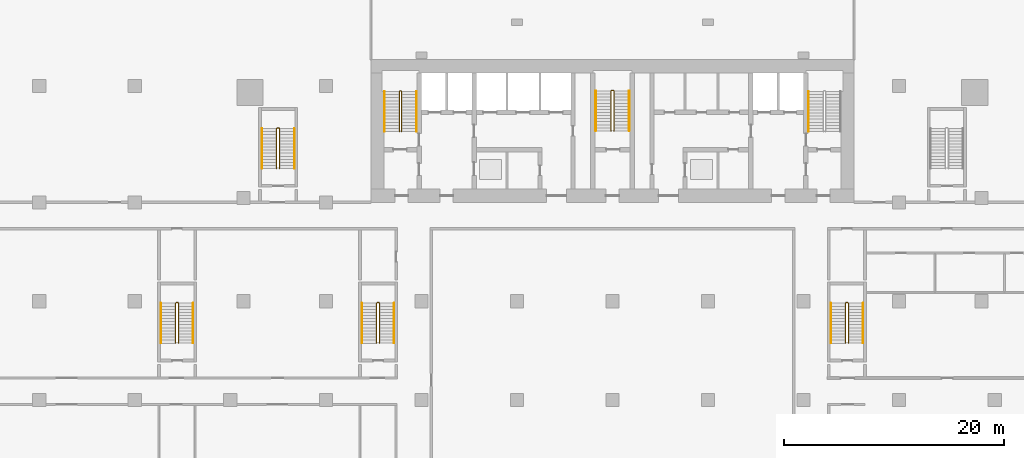
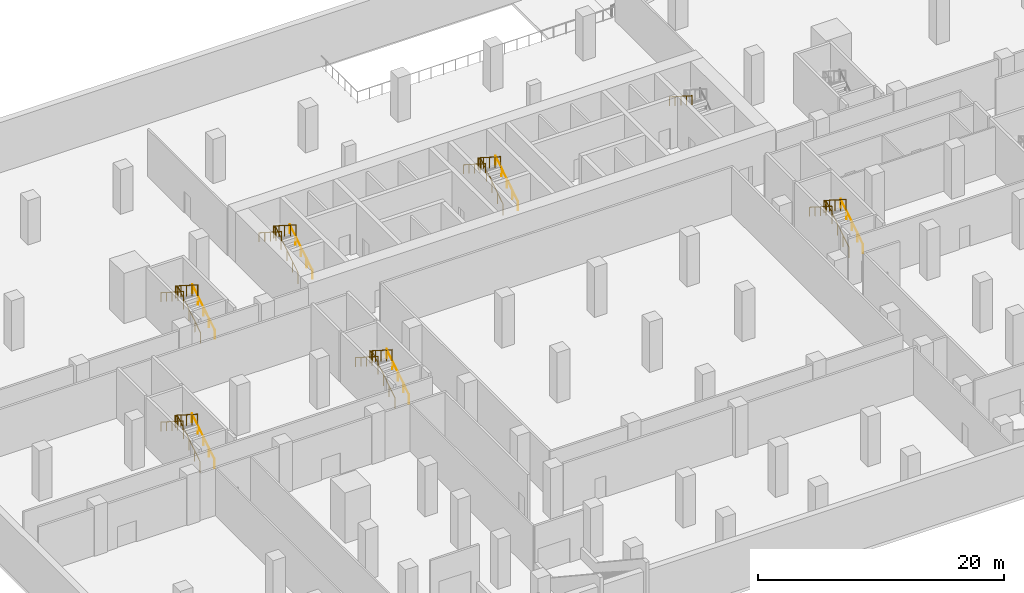
# One storey, part 14 of 16: 19 railings.
"""IFC4 building model written with IfcOpenShell, lengths in metres."""

from ifc_helpers import new_model, si_unit, direction, frame, origin, origin_2d, place, context, subcontext, project, spatial, circle, extrude, material, type_object, element, save


model = new_model("IFC4")

# Units and contexts
model_context = context("Model", 3, precision=1e-05, world=origin(), true_north=direction((0.0, 1.0)))
body_context = subcontext(model_context, "Body", "Model", "MODEL_VIEW")
ifc_project = project(units=[si_unit("LENGTHUNIT", "METRE"), si_unit("AREAUNIT", "SQUARE_METRE"), si_unit("VOLUMEUNIT", "CUBIC_METRE"), si_unit("PLANEANGLEUNIT", "RADIAN"), si_unit("MASSUNIT", "GRAM", prefix="KILO")], contexts=[model_context])

# Site, building, storey
site_placement = place(None, origin())
site = spatial("IfcSite", under=ifc_project, at=site_placement, CompositionType="ELEMENT")
building_placement = place(site_placement, origin())
building = spatial("IfcBuilding", under=site, at=building_placement, Name="Bicima Exchange Tower", CompositionType="ELEMENT")
storey_placement = place(building_placement, frame((0.0, 0.0, -5.0)))
storey = spatial("IfcBuildingStorey", under=building, at=storey_placement, Name="B1", CompositionType="ELEMENT", Elevation=-5.0)

# Railings
ifc_material = material(Name="Stainless steel", Category="steel")
railing_type_1 = type_object("IfcRailingType", Name="Stair guard 1100", PredefinedType="GUARDRAIL", material=ifc_material)
railing_1_placement = place(storey_placement, frame((-19.199951171875, -6.550048828125, 0.178466796875)))
element("IfcRailing", 1, at=railing_1_placement, inside=storey, type_object=railing_type_1, Name="B1 ST-W stair guard 1", PredefinedType="GUARDRAIL", context=body_context, shape_type="SweptSolid", body=[
    extrude(circle(Radius=0.02392578125, at=origin_2d()), frame((0.0, 0.0, 1.076171875), z_axis=(0.0, 0.843127859045, 0.537713132908), x_axis=(-1.0, 0.0, 0.0)), (0.0, 0.0, 1.0), 4.3173828125),
    extrude(circle(Radius=0.02392578125, at=origin_2d()), frame((0.0, 3.64013671875, 3.3974609375), z_axis=(-0.708833529934, 0.705375805398, 0.0), x_axis=(-0.705375805398, -0.708833529934, 0.0)), (0.0, 0.0, 1.0), 0.070556640625),
    extrude(circle(Radius=0.02392578125, at=origin_2d()), frame((-0.050048828125, 3.68994140625, 3.3974609375), z_axis=(-1.0, 0.0, 0.0), x_axis=(0.0, -1.0, 0.0)), (0.0, 0.0, 1.0), 0.10009765625),
    extrude(circle(Radius=0.02392578125, at=origin_2d()), frame((-0.150146484375, 3.68994140625, 3.3974609375), z_axis=(-0.259584636361, -0.259584636361, 0.930178280294), x_axis=(0.707106781187, -0.707106781187, 0.0)), (0.0, 0.0, 1.0), 0.19189453125),
    extrude(circle(Radius=0.02392578125, at=origin_2d()), frame((-0.199951171875, 3.64013671875, 3.576171875), z_axis=(0.0, -0.843127859045, 0.537713132908), x_axis=(1.0, 0.0, 0.0)), (0.0, 0.0, 1.0), 4.3173828125),
    extrude(circle(Radius=0.02099609375, at=origin_2d()), origin(), (0.0, 0.0, 1.0), 1.052001953125),
    extrude(circle(Radius=0.02099609375, at=origin_2d()), frame((0.0, 0.91015625, 0.580322265625)), (0.0, 0.0, 1.0), 1.052001953125),
    extrude(circle(Radius=0.02099609375, at=origin_2d()), frame((0.0, 1.820068359375, 1.16064453125)), (0.0, 0.0, 1.0), 1.052001953125),
    extrude(circle(Radius=0.02099609375, at=origin_2d()), frame((0.0, 2.72998046875, 1.7412109375)), (0.0, 0.0, 1.0), 1.052001953125),
    extrude(circle(Radius=0.02099609375, at=origin_2d()), frame((0.0, 3.64013671875, 2.321533203125)), (0.0, 0.0, 1.0), 1.052001953125),
    extrude(circle(Radius=0.02099609375, at=origin_2d()), frame((-0.050048828125, 3.68994140625, 2.321533203125)), (0.0, 0.0, 1.0), 1.052001953125),
    extrude(circle(Radius=0.02099609375, at=origin_2d()), frame((-0.150146484375, 3.68994140625, 2.321533203125)), (0.0, 0.0, 1.0), 1.052001953125),
    extrude(circle(Radius=0.02099609375, at=origin_2d()), frame((-0.199951171875, 3.64013671875, 2.5)), (0.0, 0.0, 1.0), 1.052001953125),
    extrude(circle(Radius=0.02099609375, at=origin_2d()), frame((-0.199951171875, 2.72998046875, 3.080322265625)), (0.0, 0.0, 1.0), 1.052001953125),
    extrude(circle(Radius=0.02099609375, at=origin_2d()), frame((-0.199951171875, 1.820068359375, 3.66064453125)), (0.0, 0.0, 1.0), 1.052001953125),
    extrude(circle(Radius=0.02099609375, at=origin_2d()), frame((-0.199951171875, 0.91015625, 4.2412109375)), (0.0, 0.0, 1.0), 1.052001953125),
    extrude(circle(Radius=0.02099609375, at=origin_2d()), frame((-0.199951171875, 0.0, 4.821533203125)), (0.0, 0.0, 1.0), 1.052001953125),
])
railing_2_placement = place(storey_placement, frame((0.125, -6.5, 0.178466796875)))
element("IfcRailing", 2, at=railing_2_placement, inside=storey, type_object=railing_type_1, Name="B1 ST-C stair guard 1", PredefinedType="GUARDRAIL", context=body_context, shape_type="SweptSolid", body=[
    extrude(circle(Radius=0.02392578125, at=origin_2d()), frame((0.0, 0.0, 1.076171875), z_axis=(0.0, 0.843111507901, 0.53773877045), x_axis=(-1.0, 0.0, 0.0)), (0.0, 0.0, 1.0), 4.317138671875),
    extrude(circle(Radius=0.02392578125, at=origin_2d()), frame((0.0, 3.639892578125, 3.3974609375), z_axis=(-0.707106781187, 0.707106781187, 0.0), x_axis=(-0.707106781187, -0.707106781187, 0.0)), (0.0, 0.0, 1.0), 0.07080078125),
    extrude(circle(Radius=0.02392578125, at=origin_2d()), frame((-0.050048828125, 3.68994140625, 3.3974609375), z_axis=(-1.0, 0.0, 0.0), x_axis=(0.0, -1.0, 0.0)), (0.0, 0.0, 1.0), 0.14990234375),
    extrude(circle(Radius=0.02392578125, at=origin_2d()), frame((-0.199951171875, 3.68994140625, 3.3974609375), z_axis=(-0.260684529273, -0.260684529273, 0.929562882432), x_axis=(0.707106781187, -0.707106781187, 0.0)), (0.0, 0.0, 1.0), 0.19189453125),
    extrude(circle(Radius=0.02392578125, at=origin_2d()), frame((-0.25, 3.639892578125, 3.576171875), z_axis=(0.0, -0.843111507901, 0.53773877045), x_axis=(1.0, 0.0, 0.0)), (0.0, 0.0, 1.0), 4.317138671875),
    extrude(circle(Radius=0.02099609375, at=origin_2d()), origin(), (0.0, 0.0, 1.0), 1.052001953125),
    extrude(circle(Radius=0.02099609375, at=origin_2d()), frame((0.0, 0.909912109375, 0.580322265625)), (0.0, 0.0, 1.0), 1.052001953125),
    extrude(circle(Radius=0.02099609375, at=origin_2d()), frame((0.0, 1.81982421875, 1.16064453125)), (0.0, 0.0, 1.0), 1.052001953125),
    extrude(circle(Radius=0.02099609375, at=origin_2d()), frame((0.0, 2.72998046875, 1.7412109375)), (0.0, 0.0, 1.0), 1.052001953125),
    extrude(circle(Radius=0.02099609375, at=origin_2d()), frame((0.0, 3.639892578125, 2.321533203125)), (0.0, 0.0, 1.0), 1.052001953125),
    extrude(circle(Radius=0.02099609375, at=origin_2d()), frame((-0.050048828125, 3.68994140625, 2.321533203125)), (0.0, 0.0, 1.0), 1.052001953125),
    extrude(circle(Radius=0.02099609375, at=origin_2d()), frame((-0.199951171875, 3.68994140625, 2.321533203125)), (0.0, 0.0, 1.0), 1.052001953125),
    extrude(circle(Radius=0.02099609375, at=origin_2d()), frame((-0.25, 3.639892578125, 2.5)), (0.0, 0.0, 1.0), 1.052001953125),
    extrude(circle(Radius=0.02099609375, at=origin_2d()), frame((-0.25, 2.72998046875, 3.080322265625)), (0.0, 0.0, 1.0), 1.052001953125),
    extrude(circle(Radius=0.02099609375, at=origin_2d()), frame((-0.25, 1.81982421875, 3.66064453125)), (0.0, 0.0, 1.0), 1.052001953125),
    extrude(circle(Radius=0.02099609375, at=origin_2d()), frame((-0.25, 0.909912109375, 4.2412109375)), (0.0, 0.0, 1.0), 1.052001953125),
    extrude(circle(Radius=0.02099609375, at=origin_2d()), frame((-0.25, 0.0, 4.821533203125)), (0.0, 0.0, 1.0), 1.052001953125),
])
railing_3_placement = place(storey_placement, frame((-30.324951171875, -9.925048828125, 0.178466796875)))
element("IfcRailing", 3, at=railing_3_placement, inside=storey, type_object=railing_type_1, Name="B1 ST-WW stair guard 1", PredefinedType="GUARDRAIL", context=body_context, shape_type="SweptSolid", body=[
    extrude(circle(Radius=0.02392578125, at=origin_2d()), frame((0.0, 0.0, 1.076171875), z_axis=(0.0, 0.843127859045, 0.537713132908), x_axis=(-1.0, 0.0, 0.0)), (0.0, 0.0, 1.0), 4.3173828125),
    extrude(circle(Radius=0.02392578125, at=origin_2d()), frame((0.0, 3.64013671875, 3.3974609375), z_axis=(-0.708833529934, 0.705375805398, 0.0), x_axis=(-0.705375805398, -0.708833529934, 0.0)), (0.0, 0.0, 1.0), 0.070556640625),
    extrude(circle(Radius=0.02392578125, at=origin_2d()), frame((-0.050048828125, 3.68994140625, 3.3974609375), z_axis=(-1.0, 0.0, 0.0), x_axis=(0.0, -1.0, 0.0)), (0.0, 0.0, 1.0), 0.14990234375),
    extrude(circle(Radius=0.02392578125, at=origin_2d()), frame((-0.199951171875, 3.68994140625, 3.3974609375), z_axis=(-0.26077077684, -0.25949872427, 0.929870428634), x_axis=(0.705375805398, -0.708833529934, 0.0)), (0.0, 0.0, 1.0), 0.19189453125),
    extrude(circle(Radius=0.02392578125, at=origin_2d()), frame((-0.25, 3.64013671875, 3.576171875), z_axis=(0.0, -0.843127859045, 0.537713132908), x_axis=(1.0, 0.0, 0.0)), (0.0, 0.0, 1.0), 4.3173828125),
    extrude(circle(Radius=0.02099609375, at=origin_2d()), origin(), (0.0, 0.0, 1.0), 1.052001953125),
    extrude(circle(Radius=0.02099609375, at=origin_2d()), frame((0.0, 0.91015625, 0.580322265625)), (0.0, 0.0, 1.0), 1.052001953125),
    extrude(circle(Radius=0.02099609375, at=origin_2d()), frame((0.0, 1.820068359375, 1.16064453125)), (0.0, 0.0, 1.0), 1.052001953125),
    extrude(circle(Radius=0.02099609375, at=origin_2d()), frame((0.0, 2.72998046875, 1.7412109375)), (0.0, 0.0, 1.0), 1.052001953125),
    extrude(circle(Radius=0.02099609375, at=origin_2d()), frame((0.0, 3.64013671875, 2.321533203125)), (0.0, 0.0, 1.0), 1.052001953125),
    extrude(circle(Radius=0.02099609375, at=origin_2d()), frame((-0.050048828125, 3.68994140625, 2.321533203125)), (0.0, 0.0, 1.0), 1.052001953125),
    extrude(circle(Radius=0.02099609375, at=origin_2d()), frame((-0.199951171875, 3.68994140625, 2.321533203125)), (0.0, 0.0, 1.0), 1.052001953125),
    extrude(circle(Radius=0.02099609375, at=origin_2d()), frame((-0.25, 3.64013671875, 2.5)), (0.0, 0.0, 1.0), 1.052001953125),
    extrude(circle(Radius=0.02099609375, at=origin_2d()), frame((-0.25, 2.72998046875, 3.080322265625)), (0.0, 0.0, 1.0), 1.052001953125),
    extrude(circle(Radius=0.02099609375, at=origin_2d()), frame((-0.25, 1.820068359375, 3.66064453125)), (0.0, 0.0, 1.0), 1.052001953125),
    extrude(circle(Radius=0.02099609375, at=origin_2d()), frame((-0.25, 0.91015625, 4.2412109375)), (0.0, 0.0, 1.0), 1.052001953125),
    extrude(circle(Radius=0.02099609375, at=origin_2d()), frame((-0.25, 0.0, 4.821533203125)), (0.0, 0.0, 1.0), 1.052001953125),
])
railing_4_placement = place(storey_placement, frame((-39.52490234375, -25.824951171875, 0.178466796875)))
element("IfcRailing", 4, at=railing_4_placement, inside=storey, type_object=railing_type_1, Name="B1 PS-W stair guard 1", PredefinedType="GUARDRAIL", context=body_context, shape_type="SweptSolid", body=[
    extrude(circle(Radius=0.02392578125, at=origin_2d()), frame((0.0, 0.0, 1.076171875), z_axis=(0.0, 0.843111507901, 0.53773877045), x_axis=(-1.0, 0.0, 0.0)), (0.0, 0.0, 1.0), 4.317138671875),
    extrude(circle(Radius=0.02392578125, at=origin_2d()), frame((0.0, 3.639892578125, 3.3974609375), z_axis=(-0.707106781187, 0.707106781187, 0.0), x_axis=(-0.707106781187, -0.707106781187, 0.0)), (0.0, 0.0, 1.0), 0.07080078125),
    extrude(circle(Radius=0.02392578125, at=origin_2d()), frame((-0.050048828125, 3.68994140625, 3.3974609375), z_axis=(-1.0, 0.0, 0.0), x_axis=(0.0, -1.0, 0.0)), (0.0, 0.0, 1.0), 0.150146484375),
    extrude(circle(Radius=0.02392578125, at=origin_2d()), frame((-0.2001953125, 3.68994140625, 3.3974609375), z_axis=(-0.25949872427, -0.26077077684, 0.929870428634), x_axis=(0.708833529934, -0.705375805398, 0.0)), (0.0, 0.0, 1.0), 0.19189453125),
    extrude(circle(Radius=0.02392578125, at=origin_2d()), frame((-0.25, 3.639892578125, 3.576171875), z_axis=(0.0, -0.843111507901, 0.53773877045), x_axis=(1.0, 0.0, 0.0)), (0.0, 0.0, 1.0), 4.317138671875),
    extrude(circle(Radius=0.02099609375, at=origin_2d()), origin(), (0.0, 0.0, 1.0), 1.052001953125),
    extrude(circle(Radius=0.02099609375, at=origin_2d()), frame((0.0, 0.909912109375, 0.580322265625)), (0.0, 0.0, 1.0), 1.052001953125),
    extrude(circle(Radius=0.02099609375, at=origin_2d()), frame((0.0, 1.81982421875, 1.16064453125)), (0.0, 0.0, 1.0), 1.052001953125),
    extrude(circle(Radius=0.02099609375, at=origin_2d()), frame((0.0, 2.72998046875, 1.7412109375)), (0.0, 0.0, 1.0), 1.052001953125),
    extrude(circle(Radius=0.02099609375, at=origin_2d()), frame((0.0, 3.639892578125, 2.321533203125)), (0.0, 0.0, 1.0), 1.052001953125),
    extrude(circle(Radius=0.02099609375, at=origin_2d()), frame((-0.050048828125, 3.68994140625, 2.321533203125)), (0.0, 0.0, 1.0), 1.052001953125),
    extrude(circle(Radius=0.02099609375, at=origin_2d()), frame((-0.2001953125, 3.68994140625, 2.321533203125)), (0.0, 0.0, 1.0), 1.052001953125),
    extrude(circle(Radius=0.02099609375, at=origin_2d()), frame((-0.25, 3.639892578125, 2.5)), (0.0, 0.0, 1.0), 1.052001953125),
    extrude(circle(Radius=0.02099609375, at=origin_2d()), frame((-0.25, 2.72998046875, 3.080322265625)), (0.0, 0.0, 1.0), 1.052001953125),
    extrude(circle(Radius=0.02099609375, at=origin_2d()), frame((-0.25, 1.81982421875, 3.66064453125)), (0.0, 0.0, 1.0), 1.052001953125),
    extrude(circle(Radius=0.02099609375, at=origin_2d()), frame((-0.25, 0.909912109375, 4.2412109375)), (0.0, 0.0, 1.0), 1.052001953125),
    extrude(circle(Radius=0.02099609375, at=origin_2d()), frame((-0.25, 0.0, 4.821533203125)), (0.0, 0.0, 1.0), 1.052001953125),
])
railing_5_placement = place(storey_placement, frame((-21.22509765625, -25.824951171875, 0.178466796875)))
element("IfcRailing", 5, at=railing_5_placement, inside=storey, type_object=railing_type_1, Name="B1 PS-WI stair guard 1", PredefinedType="GUARDRAIL", context=body_context, shape_type="SweptSolid", body=[
    extrude(circle(Radius=0.02392578125, at=origin_2d()), frame((0.0, 0.0, 1.076171875), z_axis=(0.0, 0.843111507901, 0.53773877045), x_axis=(-1.0, 0.0, 0.0)), (0.0, 0.0, 1.0), 4.317138671875),
    extrude(circle(Radius=0.02392578125, at=origin_2d()), frame((0.0, 3.639892578125, 3.3974609375), z_axis=(-0.705375805398, 0.708833529934, 0.0), x_axis=(-0.708833529934, -0.705375805398, 0.0)), (0.0, 0.0, 1.0), 0.070556640625),
    extrude(circle(Radius=0.02392578125, at=origin_2d()), frame((-0.0498046875, 3.68994140625, 3.3974609375), z_axis=(-1.0, 0.0, 0.0), x_axis=(0.0, -1.0, 0.0)), (0.0, 0.0, 1.0), 0.150146484375),
    extrude(circle(Radius=0.02392578125, at=origin_2d()), frame((-0.199951171875, 3.68994140625, 3.3974609375), z_axis=(-0.260684529273, -0.260684529273, 0.929562882432), x_axis=(0.707106781187, -0.707106781187, 0.0)), (0.0, 0.0, 1.0), 0.19189453125),
    extrude(circle(Radius=0.02392578125, at=origin_2d()), frame((-0.25, 3.639892578125, 3.576171875), z_axis=(0.0, -0.843111507901, 0.53773877045), x_axis=(1.0, 0.0, 0.0)), (0.0, 0.0, 1.0), 4.317138671875),
    extrude(circle(Radius=0.02099609375, at=origin_2d()), origin(), (0.0, 0.0, 1.0), 1.052001953125),
    extrude(circle(Radius=0.02099609375, at=origin_2d()), frame((0.0, 0.909912109375, 0.580322265625)), (0.0, 0.0, 1.0), 1.052001953125),
    extrude(circle(Radius=0.02099609375, at=origin_2d()), frame((0.0, 1.81982421875, 1.16064453125)), (0.0, 0.0, 1.0), 1.052001953125),
    extrude(circle(Radius=0.02099609375, at=origin_2d()), frame((0.0, 2.72998046875, 1.7412109375)), (0.0, 0.0, 1.0), 1.052001953125),
    extrude(circle(Radius=0.02099609375, at=origin_2d()), frame((0.0, 3.639892578125, 2.321533203125)), (0.0, 0.0, 1.0), 1.052001953125),
    extrude(circle(Radius=0.02099609375, at=origin_2d()), frame((-0.0498046875, 3.68994140625, 2.321533203125)), (0.0, 0.0, 1.0), 1.052001953125),
    extrude(circle(Radius=0.02099609375, at=origin_2d()), frame((-0.199951171875, 3.68994140625, 2.321533203125)), (0.0, 0.0, 1.0), 1.052001953125),
    extrude(circle(Radius=0.02099609375, at=origin_2d()), frame((-0.25, 3.639892578125, 2.5)), (0.0, 0.0, 1.0), 1.052001953125),
    extrude(circle(Radius=0.02099609375, at=origin_2d()), frame((-0.25, 2.72998046875, 3.080322265625)), (0.0, 0.0, 1.0), 1.052001953125),
    extrude(circle(Radius=0.02099609375, at=origin_2d()), frame((-0.25, 1.81982421875, 3.66064453125)), (0.0, 0.0, 1.0), 1.052001953125),
    extrude(circle(Radius=0.02099609375, at=origin_2d()), frame((-0.25, 0.909912109375, 4.2412109375)), (0.0, 0.0, 1.0), 1.052001953125),
    extrude(circle(Radius=0.02099609375, at=origin_2d()), frame((-0.25, 0.0, 4.821533203125)), (0.0, 0.0, 1.0), 1.052001953125),
])
railing_6_placement = place(storey_placement, frame((21.47509765625, -25.824951171875, 0.178466796875)))
element("IfcRailing", 6, at=railing_6_placement, inside=storey, type_object=railing_type_1, Name="B1 PS-EI stair guard 1", PredefinedType="GUARDRAIL", context=body_context, shape_type="SweptSolid", body=[
    extrude(circle(Radius=0.02392578125, at=origin_2d()), frame((0.0, 0.0, 1.076171875), z_axis=(0.0, 0.843111507901, 0.53773877045), x_axis=(-1.0, 0.0, 0.0)), (0.0, 0.0, 1.0), 4.317138671875),
    extrude(circle(Radius=0.02392578125, at=origin_2d()), frame((0.0, 3.639892578125, 3.3974609375), z_axis=(-0.707106781187, 0.707106781187, 0.0), x_axis=(-0.707106781187, -0.707106781187, 0.0)), (0.0, 0.0, 1.0), 0.07080078125),
    extrude(circle(Radius=0.02392578125, at=origin_2d()), frame((-0.050048828125, 3.68994140625, 3.3974609375), z_axis=(-1.0, 0.0, 0.0), x_axis=(0.0, -1.0, 0.0)), (0.0, 0.0, 1.0), 0.150146484375),
    extrude(circle(Radius=0.02392578125, at=origin_2d()), frame((-0.2001953125, 3.68994140625, 3.3974609375), z_axis=(-0.25949872427, -0.26077077684, 0.929870428634), x_axis=(0.708833529934, -0.705375805398, 0.0)), (0.0, 0.0, 1.0), 0.19189453125),
    extrude(circle(Radius=0.02392578125, at=origin_2d()), frame((-0.25, 3.639892578125, 3.576171875), z_axis=(0.0, -0.843111507901, 0.53773877045), x_axis=(1.0, 0.0, 0.0)), (0.0, 0.0, 1.0), 4.317138671875),
    extrude(circle(Radius=0.02099609375, at=origin_2d()), origin(), (0.0, 0.0, 1.0), 1.052001953125),
    extrude(circle(Radius=0.02099609375, at=origin_2d()), frame((0.0, 0.909912109375, 0.580322265625)), (0.0, 0.0, 1.0), 1.052001953125),
    extrude(circle(Radius=0.02099609375, at=origin_2d()), frame((0.0, 1.81982421875, 1.16064453125)), (0.0, 0.0, 1.0), 1.052001953125),
    extrude(circle(Radius=0.02099609375, at=origin_2d()), frame((0.0, 2.72998046875, 1.7412109375)), (0.0, 0.0, 1.0), 1.052001953125),
    extrude(circle(Radius=0.02099609375, at=origin_2d()), frame((0.0, 3.639892578125, 2.321533203125)), (0.0, 0.0, 1.0), 1.052001953125),
    extrude(circle(Radius=0.02099609375, at=origin_2d()), frame((-0.050048828125, 3.68994140625, 2.321533203125)), (0.0, 0.0, 1.0), 1.052001953125),
    extrude(circle(Radius=0.02099609375, at=origin_2d()), frame((-0.2001953125, 3.68994140625, 2.321533203125)), (0.0, 0.0, 1.0), 1.052001953125),
    extrude(circle(Radius=0.02099609375, at=origin_2d()), frame((-0.25, 3.639892578125, 2.5)), (0.0, 0.0, 1.0), 1.052001953125),
    extrude(circle(Radius=0.02099609375, at=origin_2d()), frame((-0.25, 2.72998046875, 3.080322265625)), (0.0, 0.0, 1.0), 1.052001953125),
    extrude(circle(Radius=0.02099609375, at=origin_2d()), frame((-0.25, 1.81982421875, 3.66064453125)), (0.0, 0.0, 1.0), 1.052001953125),
    extrude(circle(Radius=0.02099609375, at=origin_2d()), frame((-0.25, 0.909912109375, 4.2412109375)), (0.0, 0.0, 1.0), 1.052001953125),
    extrude(circle(Radius=0.02099609375, at=origin_2d()), frame((-0.25, 0.0, 4.821533203125)), (0.0, 0.0, 1.0), 1.052001953125),
])
railing_type_2 = type_object("IfcRailingType", Name="Stair handrail 900", PredefinedType="HANDRAIL", material=ifc_material)
railing_7_placement = place(storey_placement, frame((-17.85009765625, -6.550048828125, 0.178466796875)))
element("IfcRailing", 7, at=railing_7_placement, inside=storey, type_object=railing_type_2, Name="B1 ST-W stair handrail 1", PredefinedType="HANDRAIL", context=body_context, shape_type="SweptSolid", body=[
    extrude(circle(Radius=0.02392578125, at=origin_2d()), frame((0.0, 0.0, 0.8759765625), z_axis=(0.0, 0.843127859045, 0.537713132908), x_axis=(-1.0, 0.0, 0.0)), (0.0, 0.0, 1.0), 4.3173828125),
    extrude(circle(Radius=0.02099609375, at=origin_2d()), origin(), (0.0, 0.0, 1.0), 0.851806640625),
    extrude(circle(Radius=0.02099609375, at=origin_2d()), frame((0.0, 0.91015625, 0.580322265625)), (0.0, 0.0, 1.0), 0.851806640625),
    extrude(circle(Radius=0.02099609375, at=origin_2d()), frame((0.0, 1.820068359375, 1.16064453125)), (0.0, 0.0, 1.0), 0.851806640625),
    extrude(circle(Radius=0.02099609375, at=origin_2d()), frame((0.0, 2.72998046875, 1.7412109375)), (0.0, 0.0, 1.0), 0.851806640625),
    extrude(circle(Radius=0.02099609375, at=origin_2d()), frame((0.0, 3.64013671875, 2.321533203125)), (0.0, 0.0, 1.0), 0.851806640625),
])
railing_8_placement = place(storey_placement, frame((-20.75, -2.909912109375, 2.678466796875)))
element("IfcRailing", 8, at=railing_8_placement, inside=storey, type_object=railing_type_2, Name="B1 ST-W stair handrail 2", PredefinedType="HANDRAIL", context=body_context, shape_type="SweptSolid", body=[
    extrude(circle(Radius=0.02392578125, at=origin_2d()), frame((0.0, 0.0, 0.8759765625), z_axis=(0.0, -0.843127859045, 0.537713132908), x_axis=(1.0, 0.0, 0.0)), (0.0, 0.0, 1.0), 4.3173828125),
    extrude(circle(Radius=0.02099609375, at=origin_2d()), origin(), (0.0, 0.0, 1.0), 0.851806640625),
    extrude(circle(Radius=0.02099609375, at=origin_2d()), frame((0.0, -0.91015625, 0.580322265625)), (0.0, 0.0, 1.0), 0.851806640625),
    extrude(circle(Radius=0.02099609375, at=origin_2d()), frame((0.0, -1.820068359375, 1.16064453125)), (0.0, 0.0, 1.0), 0.851806640625),
    extrude(circle(Radius=0.02099609375, at=origin_2d()), frame((0.0, -2.72998046875, 1.7412109375)), (0.0, 0.0, 1.0), 0.851806640625),
    extrude(circle(Radius=0.02099609375, at=origin_2d()), frame((0.0, -3.64013671875, 2.321533203125)), (0.0, 0.0, 1.0), 0.851806640625),
])
railing_9_placement = place(storey_placement, frame((1.52490234375, -6.5, 0.178466796875)))
element("IfcRailing", 9, at=railing_9_placement, inside=storey, type_object=railing_type_2, Name="B1 ST-C stair handrail 1", PredefinedType="HANDRAIL", context=body_context, shape_type="SweptSolid", body=[
    extrude(circle(Radius=0.02392578125, at=origin_2d()), frame((0.0, 0.0, 0.8759765625), z_axis=(0.0, 0.843111507901, 0.53773877045), x_axis=(-1.0, 0.0, 0.0)), (0.0, 0.0, 1.0), 4.317138671875),
    extrude(circle(Radius=0.02099609375, at=origin_2d()), origin(), (0.0, 0.0, 1.0), 0.851806640625),
    extrude(circle(Radius=0.02099609375, at=origin_2d()), frame((0.0, 0.909912109375, 0.580322265625)), (0.0, 0.0, 1.0), 0.851806640625),
    extrude(circle(Radius=0.02099609375, at=origin_2d()), frame((0.0, 1.81982421875, 1.16064453125)), (0.0, 0.0, 1.0), 0.851806640625),
    extrude(circle(Radius=0.02099609375, at=origin_2d()), frame((0.0, 2.72998046875, 1.7412109375)), (0.0, 0.0, 1.0), 0.851806640625),
    extrude(circle(Radius=0.02099609375, at=origin_2d()), frame((0.0, 3.639892578125, 2.321533203125)), (0.0, 0.0, 1.0), 0.851806640625),
])
railing_10_placement = place(storey_placement, frame((-1.52490234375, -2.860107421875, 2.678466796875)))
element("IfcRailing", 10, at=railing_10_placement, inside=storey, type_object=railing_type_2, Name="B1 ST-C stair handrail 2", PredefinedType="HANDRAIL", context=body_context, shape_type="SweptSolid", body=[
    extrude(circle(Radius=0.02392578125, at=origin_2d()), frame((0.0, 0.0, 0.8759765625), z_axis=(0.0, -0.843111507901, 0.53773877045), x_axis=(1.0, 0.0, 0.0)), (0.0, 0.0, 1.0), 4.317138671875),
    extrude(circle(Radius=0.02099609375, at=origin_2d()), origin(), (0.0, 0.0, 1.0), 0.851806640625),
    extrude(circle(Radius=0.02099609375, at=origin_2d()), frame((0.0, -0.909912109375, 0.580322265625)), (0.0, 0.0, 1.0), 0.851806640625),
    extrude(circle(Radius=0.02099609375, at=origin_2d()), frame((0.0, -1.81982421875, 1.16064453125)), (0.0, 0.0, 1.0), 0.851806640625),
    extrude(circle(Radius=0.02099609375, at=origin_2d()), frame((0.0, -2.72998046875, 1.7412109375)), (0.0, 0.0, 1.0), 0.851806640625),
    extrude(circle(Radius=0.02099609375, at=origin_2d()), frame((0.0, -3.639892578125, 2.321533203125)), (0.0, 0.0, 1.0), 0.851806640625),
])
railing_11_placement = place(storey_placement, frame((17.85009765625, -2.909912109375, 2.678466796875)))
element("IfcRailing", 11, at=railing_11_placement, inside=storey, type_object=railing_type_2, Name="B1 ST-E stair handrail 2", PredefinedType="HANDRAIL", context=body_context, shape_type="SweptSolid", body=[
    extrude(circle(Radius=0.02392578125, at=origin_2d()), frame((0.0, 0.0, 0.8759765625), z_axis=(0.0, -0.843127859045, 0.537713132908), x_axis=(1.0, 0.0, 0.0)), (0.0, 0.0, 1.0), 4.3173828125),
    extrude(circle(Radius=0.02099609375, at=origin_2d()), origin(), (0.0, 0.0, 1.0), 0.851806640625),
    extrude(circle(Radius=0.02099609375, at=origin_2d()), frame((0.0, -0.91015625, 0.580322265625)), (0.0, 0.0, 1.0), 0.851806640625),
    extrude(circle(Radius=0.02099609375, at=origin_2d()), frame((0.0, -1.820068359375, 1.16064453125)), (0.0, 0.0, 1.0), 0.851806640625),
    extrude(circle(Radius=0.02099609375, at=origin_2d()), frame((0.0, -2.72998046875, 1.7412109375)), (0.0, 0.0, 1.0), 0.851806640625),
    extrude(circle(Radius=0.02099609375, at=origin_2d()), frame((0.0, -3.64013671875, 2.321533203125)), (0.0, 0.0, 1.0), 0.851806640625),
])
railing_12_placement = place(storey_placement, frame((-28.97509765625, -9.925048828125, 0.178466796875)))
element("IfcRailing", 12, at=railing_12_placement, inside=storey, type_object=railing_type_2, Name="B1 ST-WW stair handrail 1", PredefinedType="HANDRAIL", context=body_context, shape_type="SweptSolid", body=[
    extrude(circle(Radius=0.02392578125, at=origin_2d()), frame((0.0, 0.0, 0.8759765625), z_axis=(0.0, 0.843127859045, 0.537713132908), x_axis=(-1.0, 0.0, 0.0)), (0.0, 0.0, 1.0), 4.3173828125),
    extrude(circle(Radius=0.02099609375, at=origin_2d()), origin(), (0.0, 0.0, 1.0), 0.851806640625),
    extrude(circle(Radius=0.02099609375, at=origin_2d()), frame((0.0, 0.91015625, 0.580322265625)), (0.0, 0.0, 1.0), 0.851806640625),
    extrude(circle(Radius=0.02099609375, at=origin_2d()), frame((0.0, 1.820068359375, 1.16064453125)), (0.0, 0.0, 1.0), 0.851806640625),
    extrude(circle(Radius=0.02099609375, at=origin_2d()), frame((0.0, 2.72998046875, 1.7412109375)), (0.0, 0.0, 1.0), 0.851806640625),
    extrude(circle(Radius=0.02099609375, at=origin_2d()), frame((0.0, 3.64013671875, 2.321533203125)), (0.0, 0.0, 1.0), 0.851806640625),
])
railing_13_placement = place(storey_placement, frame((-31.925048828125, -6.284912109375, 2.678466796875)))
element("IfcRailing", 13, at=railing_13_placement, inside=storey, type_object=railing_type_2, Name="B1 ST-WW stair handrail 2", PredefinedType="HANDRAIL", context=body_context, shape_type="SweptSolid", body=[
    extrude(circle(Radius=0.02392578125, at=origin_2d()), frame((0.0, 0.0, 0.8759765625), z_axis=(0.0, -0.843127859045, 0.537713132908), x_axis=(1.0, 0.0, 0.0)), (0.0, 0.0, 1.0), 4.3173828125),
    extrude(circle(Radius=0.02099609375, at=origin_2d()), origin(), (0.0, 0.0, 1.0), 0.851806640625),
    extrude(circle(Radius=0.02099609375, at=origin_2d()), frame((0.0, -0.91015625, 0.580322265625)), (0.0, 0.0, 1.0), 0.851806640625),
    extrude(circle(Radius=0.02099609375, at=origin_2d()), frame((0.0, -1.820068359375, 1.16064453125)), (0.0, 0.0, 1.0), 0.851806640625),
    extrude(circle(Radius=0.02099609375, at=origin_2d()), frame((0.0, -2.72998046875, 1.7412109375)), (0.0, 0.0, 1.0), 0.851806640625),
    extrude(circle(Radius=0.02099609375, at=origin_2d()), frame((0.0, -3.64013671875, 2.321533203125)), (0.0, 0.0, 1.0), 0.851806640625),
])
railing_14_placement = place(storey_placement, frame((-38.175048828125, -25.824951171875, 0.178466796875)))
element("IfcRailing", 14, at=railing_14_placement, inside=storey, type_object=railing_type_2, Name="B1 PS-W stair handrail 1", PredefinedType="HANDRAIL", context=body_context, shape_type="SweptSolid", body=[
    extrude(circle(Radius=0.02392578125, at=origin_2d()), frame((0.0, 0.0, 0.8759765625), z_axis=(0.0, 0.843111507901, 0.53773877045), x_axis=(-1.0, 0.0, 0.0)), (0.0, 0.0, 1.0), 4.317138671875),
    extrude(circle(Radius=0.02099609375, at=origin_2d()), origin(), (0.0, 0.0, 1.0), 0.851806640625),
    extrude(circle(Radius=0.02099609375, at=origin_2d()), frame((0.0, 0.909912109375, 0.580322265625)), (0.0, 0.0, 1.0), 0.851806640625),
    extrude(circle(Radius=0.02099609375, at=origin_2d()), frame((0.0, 1.81982421875, 1.16064453125)), (0.0, 0.0, 1.0), 0.851806640625),
    extrude(circle(Radius=0.02099609375, at=origin_2d()), frame((0.0, 2.72998046875, 1.7412109375)), (0.0, 0.0, 1.0), 0.851806640625),
    extrude(circle(Radius=0.02099609375, at=origin_2d()), frame((0.0, 3.639892578125, 2.321533203125)), (0.0, 0.0, 1.0), 0.851806640625),
])
railing_15_placement = place(storey_placement, frame((-41.125, -22.18505859375, 2.678466796875)))
element("IfcRailing", 15, at=railing_15_placement, inside=storey, type_object=railing_type_2, Name="B1 PS-W stair handrail 2", PredefinedType="HANDRAIL", context=body_context, shape_type="SweptSolid", body=[
    extrude(circle(Radius=0.02392578125, at=origin_2d()), frame((0.0, 0.0, 0.8759765625), z_axis=(0.0, -0.843111507901, 0.53773877045), x_axis=(1.0, 0.0, 0.0)), (0.0, 0.0, 1.0), 4.317138671875),
    extrude(circle(Radius=0.02099609375, at=origin_2d()), origin(), (0.0, 0.0, 1.0), 0.851806640625),
    extrude(circle(Radius=0.02099609375, at=origin_2d()), frame((0.0, -0.909912109375, 0.580322265625)), (0.0, 0.0, 1.0), 0.851806640625),
    extrude(circle(Radius=0.02099609375, at=origin_2d()), frame((0.0, -1.81982421875, 1.16064453125)), (0.0, 0.0, 1.0), 0.851806640625),
    extrude(circle(Radius=0.02099609375, at=origin_2d()), frame((0.0, -2.72998046875, 1.7412109375)), (0.0, 0.0, 1.0), 0.851806640625),
    extrude(circle(Radius=0.02099609375, at=origin_2d()), frame((0.0, -3.639892578125, 2.321533203125)), (0.0, 0.0, 1.0), 0.851806640625),
])
railing_16_placement = place(storey_placement, frame((-19.875, -25.824951171875, 0.178466796875)))
element("IfcRailing", 16, at=railing_16_placement, inside=storey, type_object=railing_type_2, Name="B1 PS-WI stair handrail 1", PredefinedType="HANDRAIL", context=body_context, shape_type="SweptSolid", body=[
    extrude(circle(Radius=0.02392578125, at=origin_2d()), frame((0.0, 0.0, 0.8759765625), z_axis=(0.0, 0.843111507901, 0.53773877045), x_axis=(-1.0, 0.0, 0.0)), (0.0, 0.0, 1.0), 4.317138671875),
    extrude(circle(Radius=0.02099609375, at=origin_2d()), origin(), (0.0, 0.0, 1.0), 0.851806640625),
    extrude(circle(Radius=0.02099609375, at=origin_2d()), frame((0.0, 0.909912109375, 0.580322265625)), (0.0, 0.0, 1.0), 0.851806640625),
    extrude(circle(Radius=0.02099609375, at=origin_2d()), frame((0.0, 1.81982421875, 1.16064453125)), (0.0, 0.0, 1.0), 0.851806640625),
    extrude(circle(Radius=0.02099609375, at=origin_2d()), frame((0.0, 2.72998046875, 1.7412109375)), (0.0, 0.0, 1.0), 0.851806640625),
    extrude(circle(Radius=0.02099609375, at=origin_2d()), frame((0.0, 3.639892578125, 2.321533203125)), (0.0, 0.0, 1.0), 0.851806640625),
])
railing_17_placement = place(storey_placement, frame((-22.824951171875, -22.18505859375, 2.678466796875)))
element("IfcRailing", 17, at=railing_17_placement, inside=storey, type_object=railing_type_2, Name="B1 PS-WI stair handrail 2", PredefinedType="HANDRAIL", context=body_context, shape_type="SweptSolid", body=[
    extrude(circle(Radius=0.02392578125, at=origin_2d()), frame((0.0, 0.0, 0.8759765625), z_axis=(0.0, -0.843111507901, 0.53773877045), x_axis=(1.0, 0.0, 0.0)), (0.0, 0.0, 1.0), 4.317138671875),
    extrude(circle(Radius=0.02099609375, at=origin_2d()), origin(), (0.0, 0.0, 1.0), 0.851806640625),
    extrude(circle(Radius=0.02099609375, at=origin_2d()), frame((0.0, -0.909912109375, 0.580322265625)), (0.0, 0.0, 1.0), 0.851806640625),
    extrude(circle(Radius=0.02099609375, at=origin_2d()), frame((0.0, -1.81982421875, 1.16064453125)), (0.0, 0.0, 1.0), 0.851806640625),
    extrude(circle(Radius=0.02099609375, at=origin_2d()), frame((0.0, -2.72998046875, 1.7412109375)), (0.0, 0.0, 1.0), 0.851806640625),
    extrude(circle(Radius=0.02099609375, at=origin_2d()), frame((0.0, -3.639892578125, 2.321533203125)), (0.0, 0.0, 1.0), 0.851806640625),
])
railing_18_placement = place(storey_placement, frame((22.824951171875, -25.824951171875, 0.178466796875)))
element("IfcRailing", 18, at=railing_18_placement, inside=storey, type_object=railing_type_2, Name="B1 PS-EI stair handrail 1", PredefinedType="HANDRAIL", context=body_context, shape_type="SweptSolid", body=[
    extrude(circle(Radius=0.02392578125, at=origin_2d()), frame((0.0, 0.0, 0.8759765625), z_axis=(0.0, 0.843111507901, 0.53773877045), x_axis=(-1.0, 0.0, 0.0)), (0.0, 0.0, 1.0), 4.317138671875),
    extrude(circle(Radius=0.02099609375, at=origin_2d()), origin(), (0.0, 0.0, 1.0), 0.851806640625),
    extrude(circle(Radius=0.02099609375, at=origin_2d()), frame((0.0, 0.909912109375, 0.580322265625)), (0.0, 0.0, 1.0), 0.851806640625),
    extrude(circle(Radius=0.02099609375, at=origin_2d()), frame((0.0, 1.81982421875, 1.16064453125)), (0.0, 0.0, 1.0), 0.851806640625),
    extrude(circle(Radius=0.02099609375, at=origin_2d()), frame((0.0, 2.72998046875, 1.7412109375)), (0.0, 0.0, 1.0), 0.851806640625),
    extrude(circle(Radius=0.02099609375, at=origin_2d()), frame((0.0, 3.639892578125, 2.321533203125)), (0.0, 0.0, 1.0), 0.851806640625),
])
railing_19_placement = place(storey_placement, frame((19.875, -22.18505859375, 2.678466796875)))
element("IfcRailing", 19, at=railing_19_placement, inside=storey, type_object=railing_type_2, Name="B1 PS-EI stair handrail 2", PredefinedType="HANDRAIL", context=body_context, shape_type="SweptSolid", body=[
    extrude(circle(Radius=0.02392578125, at=origin_2d()), frame((0.0, 0.0, 0.8759765625), z_axis=(0.0, -0.843111507901, 0.53773877045), x_axis=(1.0, 0.0, 0.0)), (0.0, 0.0, 1.0), 4.317138671875),
    extrude(circle(Radius=0.02099609375, at=origin_2d()), origin(), (0.0, 0.0, 1.0), 0.851806640625),
    extrude(circle(Radius=0.02099609375, at=origin_2d()), frame((0.0, -0.909912109375, 0.580322265625)), (0.0, 0.0, 1.0), 0.851806640625),
    extrude(circle(Radius=0.02099609375, at=origin_2d()), frame((0.0, -1.81982421875, 1.16064453125)), (0.0, 0.0, 1.0), 0.851806640625),
    extrude(circle(Radius=0.02099609375, at=origin_2d()), frame((0.0, -2.72998046875, 1.7412109375)), (0.0, 0.0, 1.0), 0.851806640625),
    extrude(circle(Radius=0.02099609375, at=origin_2d()), frame((0.0, -3.639892578125, 2.321533203125)), (0.0, 0.0, 1.0), 0.851806640625),
])

save(model, "model.ifc")
